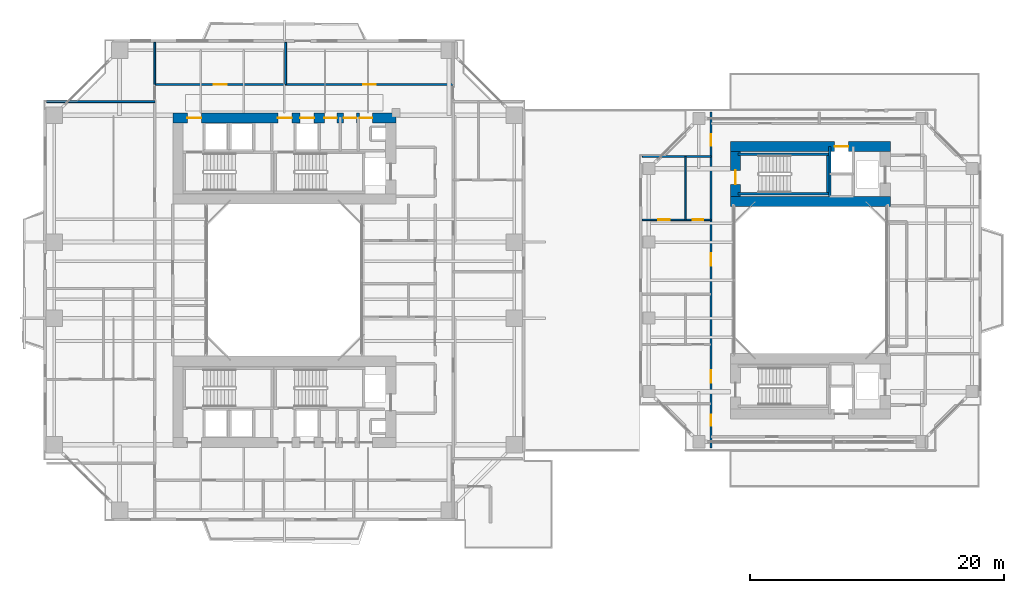
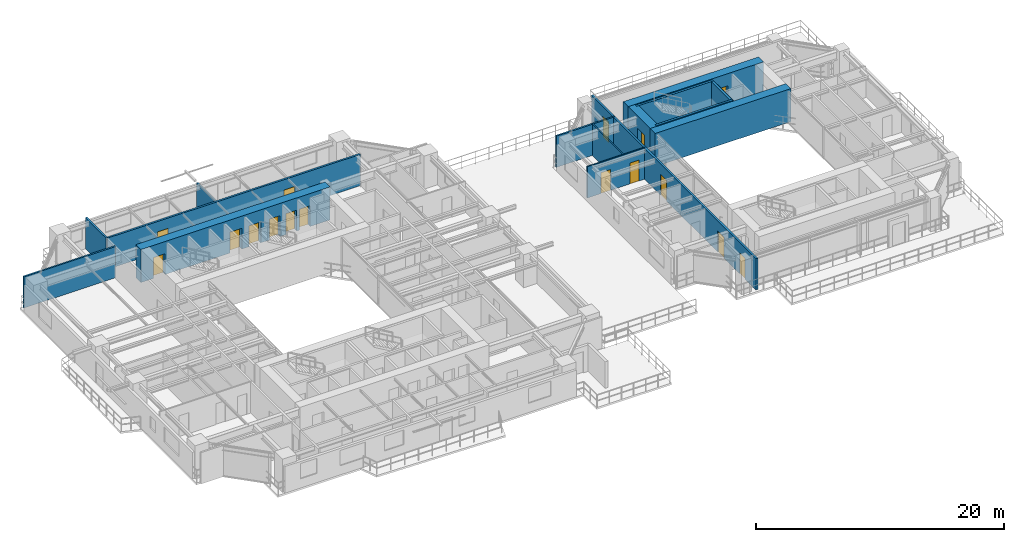
# One storey, part 14 of 22: 16 doors, 16 walls, 16 openings.
"""IFC4 building model written with IfcOpenShell, lengths in metres."""

from ifc_helpers import new_model, si_unit, direction, frame, frame_2d, origin, place, context, subcontext, project, spatial, rectangle, extrude, source, transform, mapped, material, layer, layer_set, type_object, element, fill, save


model = new_model("IFC4")

# Units and contexts
model_context = context("Model", 3, precision=1e-05, world=origin(), true_north=direction((0.0, 1.0)))
body_context = subcontext(model_context, "Body", "Model", "MODEL_VIEW")
ifc_project = project(units=[si_unit("LENGTHUNIT", "METRE"), si_unit("AREAUNIT", "SQUARE_METRE"), si_unit("VOLUMEUNIT", "CUBIC_METRE"), si_unit("PLANEANGLEUNIT", "RADIAN"), si_unit("MASSUNIT", "GRAM", prefix="KILO"), si_unit("THERMODYNAMICTEMPERATUREUNIT", "KELVIN"), si_unit("POWERUNIT", "WATT")], contexts=[model_context])

# Site, building, storey
site_placement = place(None, origin())
site = spatial("IfcSite", under=ifc_project, at=site_placement, CompositionType="ELEMENT")
building_placement = place(site_placement, origin())
building = spatial("IfcBuilding", under=site, at=building_placement, Name="Qiaomeng Ring Towers", CompositionType="ELEMENT")
storey_placement = place(building_placement, frame((0.0, 0.0, 23.0)))
storey = spatial("IfcBuildingStorey", under=building, at=storey_placement, Name="L05", CompositionType="ELEMENT", Elevation=23.0)

# Wall, openings, doors
ifc_material_1 = material(Name="Autoclaved aerated concrete block", Category="concrete")
ifc_layer_1 = layer(ifc_material_1, 0.179931640625, Name="Autoclaved aerated concrete block")
ifc_layer_set_1 = layer_set([ifc_layer_1], Name="Autoclaved aerated concrete block")
wall_type_1 = type_object("IfcWallType", Name="ARC-WL-PW2", PredefinedType="PARTITIONING", material=ifc_layer_set_1)
wall_1_placement = place(storey_placement, frame((8.780029296875, 38.43994140625, 0.0), z_axis=(0.0, 0.0, 1.0), x_axis=(1.0, 0.0, 0.0)))
wall_1 = element("IfcWall", 1, at=wall_1_placement, inside=storey, type_object=wall_type_1, Name="L05 Interior Wall PW2", PredefinedType="PARTITIONING", context=body_context, shape_type="SweptSolid", body=[
    extrude(rectangle(XDim=23.5400390625, YDim=0.179931640625, at=frame_2d((11.77001953125, 0.0))), origin(), (0.0, 0.0, 1.0), 3.070068359375),
])
opening_1_placement = place(wall_1_placement, frame((4.659912109375, 0.0, 0.0)))
opening_1 = element("IfcOpeningElement", 2, at=opening_1_placement, cuts=wall_1, Name="Opening FD4", PredefinedType="OPENING", context=body_context, shape_type="SweptSolid", body=[
    extrude(rectangle(XDim=1.0, YDim=2.050048828125, at=frame_2d((0.5, 1.02490234375))), frame((0.0, 0.099853515625, 0.0), z_axis=(0.0, -1.0, 0.0), x_axis=(1.0, 0.0, 0.0)), (0.0, 0.0, 1.0), 0.199951171875),
])
opening_2_placement = place(wall_1_placement, frame((16.429931640625, 0.0, 0.0)))
opening_2 = element("IfcOpeningElement", 3, at=opening_2_placement, cuts=wall_1, Name="Opening FD4", PredefinedType="OPENING", context=body_context, shape_type="SweptSolid", body=[
    extrude(rectangle(XDim=1.0, YDim=2.050048828125, at=frame_2d((0.5, 1.02490234375))), frame((0.0, 0.099853515625, 0.0), z_axis=(0.0, -1.0, 0.0), x_axis=(1.0, 0.0, 0.0)), (0.0, 0.0, 1.0), 0.199951171875),
])
ifc_material_2 = material(Name="Engineered fire-rated oak timber", Category="wood")
door_type_1 = type_object("IfcDoorType", Name="ARC-DR-FD4", OperationType="NOTDEFINED", PredefinedType="DOOR", material=ifc_material_2)
shared_shape_1 = source(origin(), body_context, "Body", "SweptSolid", [
    extrude(rectangle(XDim=1.0, YDim=2.050048828125, at=frame_2d((0.5, 1.02490234375))), frame((0.0, 0.02490234375, 0.0), z_axis=(0.0, -1.0, 0.0), x_axis=(1.0, 0.0, 0.0)), (0.0, 0.0, 1.0), 0.050048828125),
])
door_1_placement = place(opening_1_placement, origin())
door_1 = element("IfcDoor", 4, at=door_1_placement, inside=storey, type_object=door_type_1, Name="L05 Door FD4", OperationType="SINGLE_SWING_RIGHT", OverallHeight=2.050048828125, OverallWidth=1.0, PredefinedType="DOOR", context=body_context, shape_type="MappedRepresentation", body=[
    mapped(shared_shape_1, transform((0.0, 0.0, 0.0), x_axis=(1.0, 0.0, 0.0), y_axis=(0.0, 1.0, 0.0), z_axis=(0.0, 0.0, 1.0), scale=1.0)),
])
fill(opening_1, door_1)
door_2_placement = place(opening_2_placement, origin())
door_2 = element("IfcDoor", 5, at=door_2_placement, inside=storey, type_object=door_type_1, Name="L05 Door FD4", OperationType="SINGLE_SWING_LEFT", OverallHeight=2.050048828125, OverallWidth=1.0, PredefinedType="DOOR", context=body_context, shape_type="MappedRepresentation", body=[
    mapped(shared_shape_1, transform((0.0, 0.0, 0.0), x_axis=(1.0, 0.0, 0.0), y_axis=(0.0, 1.0, 0.0), z_axis=(0.0, 0.0, 1.0), scale=1.0)),
])
fill(opening_2, door_2)

wall_2_placement = place(storey_placement, frame((52.64990234375, 9.75, 0.0), z_axis=(0.0, 0.0, 1.0), x_axis=(0.0, 1.0, 0.0)))
wall_2 = element("IfcWall", 6, at=wall_2_placement, inside=storey, type_object=wall_type_1, Name="L05 Interior Wall PW2", PredefinedType="PARTITIONING", context=body_context, shape_type="SweptSolid", body=[
    extrude(rectangle(XDim=26.5, YDim=0.179931640625, at=frame_2d((13.25, 0.0))), origin(), (0.0, 0.0, 1.0), 3.070068359375),
])
opening_3_placement = place(wall_2_placement, frame((23.85009765625, 0.0, 0.0)))
opening_3 = element("IfcOpeningElement", 7, at=opening_3_placement, cuts=wall_2, Name="Opening ID1", PredefinedType="OPENING", context=body_context, shape_type="SweptSolid", body=[
    extrude(rectangle(XDim=0.89990234375, YDim=2.050048828125, at=frame_2d((0.449951171875, 1.02490234375))), frame((0.0, 0.099853515625, 0.0), z_axis=(0.0, -1.0, 0.0), x_axis=(1.0, 0.0, 0.0)), (0.0, 0.0, 1.0), 0.199951171875),
])
opening_4_placement = place(wall_2_placement, frame((1.75, 0.0, 0.0)))
opening_4 = element("IfcOpeningElement", 8, at=opening_4_placement, cuts=wall_2, Name="Opening ID1", PredefinedType="OPENING", context=body_context, shape_type="SweptSolid", body=[
    extrude(rectangle(XDim=0.89990234375, YDim=2.050048828125, at=frame_2d((0.449951171875, 1.02490234375))), frame((0.0, 0.099853515625, 0.0), z_axis=(0.0, -1.0, 0.0), x_axis=(1.0, 0.0, 0.0)), (0.0, 0.0, 1.0), 0.199951171875),
])
opening_5_placement = place(wall_2_placement, frame((5.14501953125, 0.0, 0.0)))
opening_5 = element("IfcOpeningElement", 9, at=opening_5_placement, cuts=wall_2, Name="Opening FD4", PredefinedType="OPENING", context=body_context, shape_type="SweptSolid", body=[
    extrude(rectangle(XDim=1.0, YDim=2.050048828125, at=frame_2d((0.5, 1.02490234375))), frame((0.0, 0.099853515625, 0.0), z_axis=(0.0, -1.0, 0.0), x_axis=(1.0, 0.0, 0.0)), (0.0, 0.0, 1.0), 0.199951171875),
])
opening_6_placement = place(wall_2_placement, frame((14.389892578125, 0.0, 0.0)))
opening_6 = element("IfcOpeningElement", 10, at=opening_6_placement, cuts=wall_2, Name="Opening FD4", PredefinedType="OPENING", context=body_context, shape_type="SweptSolid", body=[
    extrude(rectangle(XDim=1.0, YDim=2.050048828125, at=frame_2d((0.5, 1.02490234375))), frame((0.0, 0.099853515625, 0.0), z_axis=(0.0, -1.0, 0.0), x_axis=(1.0, 0.0, 0.0)), (0.0, 0.0, 1.0), 0.199951171875),
])
door_3_placement = place(opening_5_placement, origin())
door_3 = element("IfcDoor", 11, at=door_3_placement, inside=storey, type_object=door_type_1, Name="L05 Door FD4", OperationType="SINGLE_SWING_RIGHT", OverallHeight=2.050048828125, OverallWidth=1.0, PredefinedType="DOOR", context=body_context, shape_type="MappedRepresentation", body=[
    mapped(shared_shape_1, transform((0.0, 0.0, 0.0), x_axis=(1.0, 0.0, 0.0), y_axis=(0.0, 1.0, 0.0), z_axis=(0.0, 0.0, 1.0), scale=1.0)),
])
fill(opening_5, door_3)
door_4_placement = place(opening_6_placement, origin())
door_4 = element("IfcDoor", 12, at=door_4_placement, inside=storey, type_object=door_type_1, Name="L05 Door FD4", OperationType="SINGLE_SWING_LEFT", OverallHeight=2.050048828125, OverallWidth=1.0, PredefinedType="DOOR", context=body_context, shape_type="MappedRepresentation", body=[
    mapped(shared_shape_1, transform((0.0, 0.0, 0.0), x_axis=(1.0, 0.0, 0.0), y_axis=(0.0, 1.0, 0.0), z_axis=(0.0, 0.0, 1.0), scale=1.0)),
])
fill(opening_6, door_4)
ifc_material_3 = material(Name="Engineered oak timber", Category="wood")
door_type_2 = type_object("IfcDoorType", Name="ARC-DR-ID1", OperationType="NOTDEFINED", PredefinedType="DOOR", material=ifc_material_3)
shared_shape_2 = source(origin(), body_context, "Body", "SweptSolid", [
    extrude(rectangle(XDim=0.89990234375, YDim=2.050048828125, at=frame_2d((0.449951171875, 1.02490234375))), frame((0.0, 0.02490234375, 0.0), z_axis=(0.0, -1.0, 0.0), x_axis=(1.0, 0.0, 0.0)), (0.0, 0.0, 1.0), 0.050048828125),
])
door_5_placement = place(opening_3_placement, origin())
door_5 = element("IfcDoor", 13, at=door_5_placement, inside=storey, type_object=door_type_2, Name="L05 Door ID1", OperationType="SINGLE_SWING_RIGHT", OverallHeight=2.050048828125, OverallWidth=0.89990234375, PredefinedType="DOOR", context=body_context, shape_type="MappedRepresentation", body=[
    mapped(shared_shape_2, transform((0.0, 0.0, 0.0), x_axis=(1.0, 0.0, 0.0), y_axis=(0.0, 1.0, 0.0), z_axis=(0.0, 0.0, 1.0), scale=1.0)),
])
fill(opening_3, door_5)
door_6_placement = place(opening_4_placement, origin())
door_6 = element("IfcDoor", 14, at=door_6_placement, inside=storey, type_object=door_type_2, Name="L05 Door ID1", OperationType="SINGLE_SWING_LEFT", OverallHeight=2.050048828125, OverallWidth=0.89990234375, PredefinedType="DOOR", context=body_context, shape_type="MappedRepresentation", body=[
    mapped(shared_shape_2, transform((0.0, 0.0, 0.0), x_axis=(1.0, 0.0, 0.0), y_axis=(0.0, 1.0, 0.0), z_axis=(0.0, 0.0, 1.0), scale=1.0)),
])
fill(opening_4, door_6)

# Walls
ifc_material_4 = material(Name="Gypsum fireboard steel-stud partition", Category="steel")
ifc_layer_2 = layer(ifc_material_4, 0.14990234375, Name="Gypsum fireboard steel-stud partition")
ifc_layer_set_2 = layer_set([ifc_layer_2], Name="Gypsum fireboard steel-stud partition")
wall_type_2 = type_object("IfcWallType", Name="ARC-WL-PW3", PredefinedType="PARTITIONING", material=ifc_layer_set_2)
wall_3_placement = place(storey_placement, frame((19.10009765625, 38.43994140625, 0.0), z_axis=(0.0, 0.0, 1.0), x_axis=(0.0, 1.0, 0.0)))
element("IfcWall", 15, at=wall_3_placement, inside=storey, type_object=wall_type_2, Name="L05 Interior Wall PW3", PredefinedType="PARTITIONING", context=body_context, shape_type="SweptSolid", body=[
    extrude(rectangle(XDim=3.31005859375, YDim=0.14990234375, at=frame_2d((1.655029296875, 0.0))), origin(), (0.0, 0.0, 1.0), 2.864990234375),
])
wall_4_placement = place(storey_placement, frame((8.780029296875, 38.43994140625, 0.0), z_axis=(0.0, 0.0, 1.0), x_axis=(0.0, 1.0, 0.0)))
element("IfcWall", 16, at=wall_4_placement, inside=storey, type_object=wall_type_2, Name="L05 Interior Wall PW3", PredefinedType="PARTITIONING", context=body_context, shape_type="SweptSolid", body=[
    extrude(rectangle(XDim=3.31005859375, YDim=0.14990234375, at=frame_2d((1.655029296875, 0.0))), origin(), (0.0, 0.0, 1.0), 3.070068359375),
])
wall_5_placement = place(storey_placement, frame((0.25, 37.080078125, 0.0), z_axis=(0.0, 0.0, 1.0), x_axis=(1.0, 0.0, 0.0)))
element("IfcWall", 17, at=wall_5_placement, inside=storey, type_object=wall_type_2, Name="L05 Interior Wall PW3", PredefinedType="PARTITIONING", context=body_context, shape_type="SweptSolid", body=[
    extrude(rectangle(XDim=8.530029296875, YDim=0.14990234375, at=frame_2d((4.26513671875, 0.0))), origin(), (0.0, 0.0, 1.0), 3.070068359375),
])
wall_6_placement = place(storey_placement, frame((47.25, 32.75, 0.0), z_axis=(0.0, 0.0, 1.0), x_axis=(1.0, 0.0, 0.0)))
element("IfcWall", 18, at=wall_6_placement, inside=storey, type_object=wall_type_2, Name="L05 Interior Wall PW3", PredefinedType="PARTITIONING", context=body_context, shape_type="SweptSolid", body=[
    extrude(rectangle(XDim=5.39990234375, YDim=0.14990234375, at=frame_2d((2.699951171875, 0.0))), origin(), (0.0, 0.0, 1.0), 3.070068359375),
])

# Wall, openings, doors
ifc_material_5 = material(Name="Moisture-resistant gypsum steel-stud partition", Category="steel")
ifc_layer_3 = layer(ifc_material_5, 0.1201171875, Name="Moisture-resistant gypsum steel-stud partition")
ifc_layer_set_3 = layer_set([ifc_layer_3], Name="Moisture-resistant gypsum steel-stud partition")
wall_type_3 = type_object("IfcWallType", Name="ARC-WL-PW4", PredefinedType="PLUMBINGWALL", material=ifc_layer_set_3)
wall_7_placement = place(storey_placement, frame((47.25, 27.760009765625, 0.0), z_axis=(0.0, 0.0, 1.0), x_axis=(1.0, 0.0, 0.0)))
wall_7 = element("IfcWall", 19, at=wall_7_placement, inside=storey, type_object=wall_type_3, Name="L05 Interior Wall PW4", PredefinedType="PLUMBINGWALL", context=body_context, shape_type="SweptSolid", body=[
    extrude(rectangle(XDim=5.39990234375, YDim=0.1201171875, at=frame_2d((2.699951171875, 0.0))), origin(), (0.0, 0.0, 1.0), 3.070068359375),
])
opening_7_placement = place(wall_7_placement, frame((1.260009765625, 0.0, 0.0)))
opening_7 = element("IfcOpeningElement", 20, at=opening_7_placement, cuts=wall_7, Name="Opening ID1", PredefinedType="OPENING", context=body_context, shape_type="SweptSolid", body=[
    extrude(rectangle(XDim=0.89990234375, YDim=2.050048828125, at=frame_2d((0.449951171875, 1.02490234375))), frame((0.0, 0.070068359375, 0.0), z_axis=(0.0, -1.0, 0.0), x_axis=(1.0, 0.0, 0.0)), (0.0, 0.0, 1.0), 0.14013671875),
])
opening_8_placement = place(wall_7_placement, frame((3.965087890625, 0.0, 0.0)))
opening_8 = element("IfcOpeningElement", 21, at=opening_8_placement, cuts=wall_7, Name="Opening ID2", PredefinedType="OPENING", context=body_context, shape_type="SweptSolid", body=[
    extrude(rectangle(XDim=0.85009765625, YDim=2.050048828125, at=frame_2d((0.425048828125, 1.02490234375))), frame((0.0, 0.070068359375, 0.0), z_axis=(0.0, -1.0, 0.0), x_axis=(1.0, 0.0, 0.0)), (0.0, 0.0, 1.0), 0.14013671875),
])
ifc_material_6 = material(Name="Moisture-resistant engineered timber", Category="wood")
door_type_3 = type_object("IfcDoorType", Name="ARC-DR-ID2", OperationType="NOTDEFINED", PredefinedType="DOOR", material=ifc_material_6)
shared_shape_3 = source(origin(), body_context, "Body", "SweptSolid", [
    extrude(rectangle(XDim=0.85009765625, YDim=2.050048828125, at=frame_2d((0.425048828125, 1.02490234375))), frame((0.0, 0.02490234375, 0.0), z_axis=(0.0, -1.0, 0.0), x_axis=(1.0, 0.0, 0.0)), (0.0, 0.0, 1.0), 0.050048828125),
])
door_7_placement = place(opening_8_placement, origin())
door_7 = element("IfcDoor", 22, at=door_7_placement, inside=storey, type_object=door_type_3, Name="L05 Door ID2", OperationType="SINGLE_SWING_LEFT", OverallHeight=2.050048828125, OverallWidth=0.85009765625, PredefinedType="DOOR", context=body_context, shape_type="MappedRepresentation", body=[
    mapped(shared_shape_3, transform((0.0, 0.0, 0.0), x_axis=(1.0, 0.0, 0.0), y_axis=(0.0, 1.0, 0.0), z_axis=(0.0, 0.0, 1.0), scale=1.0)),
])
fill(opening_8, door_7)
door_8_placement = place(opening_7_placement, origin())
door_8 = element("IfcDoor", 23, at=door_8_placement, inside=storey, type_object=door_type_2, Name="L05 Door ID1", OperationType="SINGLE_SWING_RIGHT", OverallHeight=2.050048828125, OverallWidth=0.89990234375, PredefinedType="DOOR", context=body_context, shape_type="MappedRepresentation", body=[
    mapped(shared_shape_2, transform((0.0, 0.0, 0.0), x_axis=(1.0, 0.0, 0.0), y_axis=(0.0, 1.0, 0.0), z_axis=(0.0, 0.0, 1.0), scale=1.0)),
])
fill(opening_7, door_8)

# Walls
wall_8_placement = place(storey_placement, frame((50.64990234375, 27.760009765625, 0.0), z_axis=(0.0, 0.0, 1.0), x_axis=(0.0, 1.0, 0.0)))
element("IfcWall", 24, at=wall_8_placement, inside=storey, type_object=wall_type_3, Name="L05 Interior Wall PW4", PredefinedType="PLUMBINGWALL", context=body_context, shape_type="SweptSolid", body=[
    extrude(rectangle(XDim=4.989990234375, YDim=0.1201171875, at=frame_2d((2.4951171875, 0.0))), origin(), (0.0, 0.0, 1.0), 3.070068359375),
])
ifc_material_7 = material(Name="Concrete C40", Category="concrete")
ifc_layer_4 = layer(ifc_material_7, 0.199951171875, Name="Concrete C40")
ifc_layer_set_4 = layer_set([ifc_layer_4], Name="Concrete C40")
wall_type_4 = type_object("IfcWallType", Name="STR-WL-STSHAFT", PredefinedType="SHEAR", material=ifc_layer_set_4)
wall_9_placement = place(storey_placement, frame((62.02001953125, 29.60009765625, 0.0), z_axis=(0.0, 0.0, 1.0), x_axis=(0.0, 1.0, 0.0)))
element("IfcWall", 25, at=wall_9_placement, inside=storey, type_object=wall_type_4, Name="L05 Companion Lift Shaft West Wall N", PredefinedType="SHEAR", context=body_context, shape_type="SweptSolid", body=[
    extrude(rectangle(XDim=3.949951171875, YDim=0.179931640625, at=frame_2d((1.97509765625, 0.0))), origin(), (0.0, 0.0, 1.0), 3.070068359375),
])
for number, where, z_axis, x_axis, name in (
    (26, (54.800048828125, 29.800048828125, 0.0), (0.0, 0.0, 1.0), (1.0, 0.0, 0.0), "L05 Stair ST5 South Shaft Shear Wall"),
    (27, (54.800048828125, 32.93994140625, 0.0), (0.0, 0.0, 1.0), (1.0, 0.0, 0.0), "L05 Stair ST5 North Shaft Shear Wall"),
):
    element("IfcWall", number, at=place(storey_placement, frame(where, z_axis=z_axis, x_axis=x_axis)), inside=storey, type_object=wall_type_4, Name=name, PredefinedType="SHEAR", context=body_context, shape_type="SweptSolid", body=[
        extrude(rectangle(XDim=7.14990234375, YDim=0.199951171875, at=frame_2d((3.574951171875, 0.0))), origin(), (0.0, 0.0, 1.0), 3.25),
    ])
wall_10_placement = place(storey_placement, frame((61.85009765625, 29.89990234375, 0.0), z_axis=(0.0, 0.0, 1.0), x_axis=(0.0, 1.0, 0.0)))
element("IfcWall", 28, at=wall_10_placement, inside=storey, type_object=wall_type_4, Name="L05 Stair ST5 East Shaft Shear Wall", PredefinedType="SHEAR", context=body_context, shape_type="SweptSolid", body=[
    extrude(rectangle(XDim=2.940185546875, YDim=0.199951171875, at=frame_2d((1.47021484375, 0.0))), origin(), (0.0, 0.0, 1.0), 3.25),
])

# Wall, openings, doors
ifc_material_8 = material(Name="Concrete C60", Category="concrete")
ifc_layer_5 = layer(ifc_material_8, 0.800048828125, Name="Concrete C60")
ifc_layer_set_5 = layer_set([ifc_layer_5], Name="Concrete C60")
wall_type_5 = type_object("IfcWallType", Name="STR-WL-SW1", PredefinedType="SHEAR", material=ifc_layer_set_5)
wall_11_placement = place(storey_placement, frame((10.199951171875, 35.800048828125, 0.0), z_axis=(0.0, 0.0, 1.0), x_axis=(1.0, 0.0, 0.0)))
wall_11 = element("IfcWall", 29, at=wall_11_placement, inside=storey, type_object=wall_type_5, Name="L05 T1NC north core shear wall", PredefinedType="SHEAR", context=body_context, shape_type="SweptSolid", body=[
    extrude(rectangle(XDim=17.60009765625, YDim=0.800048828125, at=frame_2d((8.800048828125, 0.0))), origin(), (0.0, 0.0, 1.0), 3.25),
])
opening_9_placement = place(wall_11_placement, frame((1.14990234375, 0.0, 0.0)))
opening_9 = element("IfcOpeningElement", 30, at=opening_9_placement, cuts=wall_11, Name="Opening FD3", PredefinedType="OPENING", context=body_context, shape_type="SweptSolid", body=[
    extrude(rectangle(XDim=1.10009765625, YDim=2.050048828125, at=frame_2d((0.550048828125, 1.02490234375))), frame((0.0, 0.409912109375, 0.0), z_axis=(0.0, -1.0, 0.0), x_axis=(1.0, 0.0, 0.0)), (0.0, 0.0, 1.0), 0.820068359375),
])
opening_10_placement = place(wall_11_placement, frame((8.300048828125, 0.0, 0.0)))
opening_10 = element("IfcOpeningElement", 31, at=opening_10_placement, cuts=wall_11, Name="Opening FD3", PredefinedType="OPENING", context=body_context, shape_type="SweptSolid", body=[
    extrude(rectangle(XDim=1.10009765625, YDim=2.050048828125, at=frame_2d((0.550048828125, 1.02490234375))), frame((0.0, 0.409912109375, 0.0), z_axis=(0.0, -1.0, 0.0), x_axis=(1.0, 0.0, 0.0)), (0.0, 0.0, 1.0), 0.820068359375),
])
opening_11_placement = place(wall_11_placement, frame((10.050048828125, 0.0, 0.0)))
opening_11 = element("IfcOpeningElement", 32, at=opening_11_placement, cuts=wall_11, Name="Opening LD1", PredefinedType="OPENING", context=body_context, shape_type="SweptSolid", body=[
    extrude(rectangle(XDim=1.10009765625, YDim=2.050048828125, at=frame_2d((0.550048828125, 1.02490234375))), frame((0.0, 0.409912109375, 0.0), z_axis=(0.0, -1.0, 0.0), x_axis=(1.0, 0.0, 0.0)), (0.0, 0.0, 1.0), 0.820068359375),
])
opening_12_placement = place(wall_11_placement, frame((14.739990234375, 0.0, 0.0)))
opening_12 = element("IfcOpeningElement", 33, at=opening_12_placement, cuts=wall_11, Name="Opening FD1", PredefinedType="OPENING", context=body_context, shape_type="SweptSolid", body=[
    extrude(rectangle(XDim=1.0, YDim=2.050048828125, at=frame_2d((0.5, 1.02490234375))), frame((0.0, 0.409912109375, 0.0), z_axis=(0.0, -1.0, 0.0), x_axis=(1.0, 0.0, 0.0)), (0.0, 0.0, 1.0), 0.820068359375),
])
opening_13_placement = place(wall_11_placement, frame((11.949951171875, 0.0, 0.0)))
opening_13 = element("IfcOpeningElement", 34, at=opening_13_placement, cuts=wall_11, Name="Opening FD1", PredefinedType="OPENING", context=body_context, shape_type="SweptSolid", body=[
    extrude(rectangle(XDim=1.0, YDim=2.050048828125, at=frame_2d((0.5, 1.02490234375))), frame((0.0, 0.409912109375, 0.0), z_axis=(0.0, -1.0, 0.0), x_axis=(1.0, 0.0, 0.0)), (0.0, 0.0, 1.0), 0.820068359375),
])
opening_14_placement = place(wall_11_placement, frame((13.485107421875, 0.0, 0.0)))
opening_14 = element("IfcOpeningElement", 35, at=opening_14_placement, cuts=wall_11, Name="Opening FD1", PredefinedType="OPENING", context=body_context, shape_type="SweptSolid", body=[
    extrude(rectangle(XDim=1.0, YDim=2.050048828125, at=frame_2d((0.5, 1.02490234375))), frame((0.0, 0.409912109375, 0.0), z_axis=(0.0, -1.0, 0.0), x_axis=(1.0, 0.0, 0.0)), (0.0, 0.0, 1.0), 0.820068359375),
])
ifc_material_9 = material(Name="Galvanised steel", Category="steel")
door_type_4 = type_object("IfcDoorType", Name="ARC-DR-FD3", OperationType="NOTDEFINED", PredefinedType="DOOR", material=ifc_material_9)
shared_shape_4 = source(origin(), body_context, "Body", "SweptSolid", [
    extrude(rectangle(XDim=1.10009765625, YDim=2.050048828125, at=frame_2d((0.550048828125, 1.02490234375))), frame((0.0, 0.02490234375, 0.0), z_axis=(0.0, -1.0, 0.0), x_axis=(1.0, 0.0, 0.0)), (0.0, 0.0, 1.0), 0.050048828125),
])
door_9_placement = place(opening_9_placement, origin())
door_9 = element("IfcDoor", 36, at=door_9_placement, inside=storey, type_object=door_type_4, Name="L05 Stair ST1 Lobby Door", OperationType="SINGLE_SWING_RIGHT", OverallHeight=2.050048828125, OverallWidth=1.10009765625, PredefinedType="DOOR", context=body_context, shape_type="MappedRepresentation", body=[
    mapped(shared_shape_4, transform((0.0, 0.0, 0.0), x_axis=(1.0, 0.0, 0.0), y_axis=(0.0, 1.0, 0.0), z_axis=(0.0, 0.0, 1.0), scale=1.0)),
])
fill(opening_9, door_9)
door_10_placement = place(opening_10_placement, origin())
door_10 = element("IfcDoor", 37, at=door_10_placement, inside=storey, type_object=door_type_4, Name="L05 Stair ST2 Lobby Door", OperationType="SINGLE_SWING_RIGHT", OverallHeight=2.050048828125, OverallWidth=1.10009765625, PredefinedType="DOOR", context=body_context, shape_type="MappedRepresentation", body=[
    mapped(shared_shape_4, transform((0.0, 0.0, 0.0), x_axis=(1.0, 0.0, 0.0), y_axis=(0.0, 1.0, 0.0), z_axis=(0.0, 0.0, 1.0), scale=1.0)),
])
fill(opening_10, door_10)
ifc_material_10 = material(Name="Stainless steel 316", Category="steel")
door_type_5 = type_object("IfcDoorType", Name="ARC-DR-LD1", OperationType="NOTDEFINED", PredefinedType="DOOR", material=ifc_material_10)
door_11_placement = place(opening_11_placement, origin())
door_11 = element("IfcDoor", 38, at=door_11_placement, inside=storey, type_object=door_type_5, Name="L05 Low-Zone Lift LP1 Landing Door", OperationType="SLIDING_TO_LEFT", OverallHeight=2.050048828125, OverallWidth=1.10009765625, PredefinedType="DOOR", context=body_context, shape_type="MappedRepresentation", body=[
    mapped(shared_shape_4, transform((0.0, 0.0, 0.0), x_axis=(1.0, 0.0, 0.0), y_axis=(0.0, 1.0, 0.0), z_axis=(0.0, 0.0, 1.0), scale=1.0)),
])
fill(opening_11, door_11)
door_type_6 = type_object("IfcDoorType", Name="ARC-DR-FD1", OperationType="NOTDEFINED", PredefinedType="DOOR", material=ifc_material_9)
door_12_placement = place(opening_12_placement, origin())
door_12 = element("IfcDoor", 39, at=door_12_placement, inside=storey, type_object=door_type_6, Name="L05 North Electrical Riser Door", OperationType="SINGLE_SWING_RIGHT", OverallHeight=2.050048828125, OverallWidth=1.0, PredefinedType="DOOR", context=body_context, shape_type="MappedRepresentation", body=[
    mapped(shared_shape_1, transform((0.0, 0.0, 0.0), x_axis=(1.0, 0.0, 0.0), y_axis=(0.0, 1.0, 0.0), z_axis=(0.0, 0.0, 1.0), scale=1.0)),
])
fill(opening_12, door_12)
door_13_placement = place(opening_13_placement, origin())
door_13 = element("IfcDoor", 40, at=door_13_placement, inside=storey, type_object=door_type_6, Name="L05 North Tea Pantry Door", OperationType="SINGLE_SWING_RIGHT", OverallHeight=2.050048828125, OverallWidth=1.0, PredefinedType="DOOR", context=body_context, shape_type="MappedRepresentation", body=[
    mapped(shared_shape_1, transform((0.0, 0.0, 0.0), x_axis=(1.0, 0.0, 0.0), y_axis=(0.0, 1.0, 0.0), z_axis=(0.0, 0.0, 1.0), scale=1.0)),
])
fill(opening_13, door_13)
door_14_placement = place(opening_14_placement, origin())
door_14 = element("IfcDoor", 41, at=door_14_placement, inside=storey, type_object=door_type_6, Name="L05 North Cleaners Cupboard Door", OperationType="SINGLE_SWING_LEFT", OverallHeight=2.050048828125, OverallWidth=1.0, PredefinedType="DOOR", context=body_context, shape_type="MappedRepresentation", body=[
    mapped(shared_shape_1, transform((0.0, 0.0, 0.0), x_axis=(1.0, 0.0, 0.0), y_axis=(0.0, 1.0, 0.0), z_axis=(0.0, 0.0, 1.0), scale=1.0)),
])
fill(opening_14, door_14)

# Wall
wall_12_placement = place(storey_placement, frame((54.199951171875, 29.199951171875, 0.0), z_axis=(0.0, 0.0, 1.0), x_axis=(1.0, 0.0, 0.0)))
element("IfcWall", 42, at=wall_12_placement, inside=storey, type_object=wall_type_5, Name="L05 T2NC south core shear wall", PredefinedType="SHEAR", context=body_context, shape_type="SweptSolid", body=[
    extrude(rectangle(XDim=12.60009765625, YDim=0.800048828125, at=frame_2d((6.300048828125, 0.0))), origin(), (0.0, 0.0, 1.0), 3.25),
])

# Wall, opening, door
wall_13_placement = place(storey_placement, frame((54.199951171875, 33.550048828125, 0.0), z_axis=(0.0, 0.0, 1.0), x_axis=(1.0, 0.0, 0.0)))
wall_13 = element("IfcWall", 43, at=wall_13_placement, inside=storey, type_object=wall_type_5, Name="L05 T2NC north core shear wall", PredefinedType="SHEAR", context=body_context, shape_type="SweptSolid", body=[
    extrude(rectangle(XDim=12.60009765625, YDim=0.800048828125, at=frame_2d((6.300048828125, 0.0))), origin(), (0.0, 0.0, 1.0), 3.25),
])
opening_15_placement = place(wall_13_placement, frame((8.199951171875, 0.0, 0.0)))
opening_15 = element("IfcOpeningElement", 44, at=opening_15_placement, cuts=wall_13, Name="Opening LD1", PredefinedType="OPENING", context=body_context, shape_type="SweptSolid", body=[
    extrude(rectangle(XDim=1.10009765625, YDim=2.050048828125, at=frame_2d((0.550048828125, 1.02490234375))), frame((0.0, 0.409912109375, 0.0), z_axis=(0.0, -1.0, 0.0), x_axis=(1.0, 0.0, 0.0)), (0.0, 0.0, 1.0), 0.820068359375),
])
door_15_placement = place(opening_15_placement, origin())
door_15 = element("IfcDoor", 45, at=door_15_placement, inside=storey, type_object=door_type_5, Name="L05 Companion Lift LP7 Landing Door", OperationType="SLIDING_TO_LEFT", OverallHeight=2.050048828125, OverallWidth=1.10009765625, PredefinedType="DOOR", context=body_context, shape_type="MappedRepresentation", body=[
    mapped(shared_shape_4, transform((0.0, 0.0, 0.0), x_axis=(1.0, 0.0, 0.0), y_axis=(0.0, 1.0, 0.0), z_axis=(0.0, 0.0, 1.0), scale=1.0)),
])
fill(opening_15, door_15)

wall_14_placement = place(storey_placement, frame((54.60009765625, 29.60009765625, 0.0), z_axis=(0.0, 0.0, 1.0), x_axis=(0.0, 1.0, 0.0)))
wall_14 = element("IfcWall", 46, at=wall_14_placement, inside=storey, type_object=wall_type_5, Name="L05 T2NC west core shear wall", PredefinedType="SHEAR", context=body_context, shape_type="SweptSolid", body=[
    extrude(rectangle(XDim=3.5498046875, YDim=0.800048828125, at=frame_2d((1.77490234375, 0.0))), origin(), (0.0, 0.0, 1.0), 3.25),
])
opening_16_placement = place(wall_14_placement, frame((0.949951171875, 0.0, 0.0)))
opening_16 = element("IfcOpeningElement", 47, at=opening_16_placement, cuts=wall_14, Name="Opening FD3", PredefinedType="OPENING", context=body_context, shape_type="SweptSolid", body=[
    extrude(rectangle(XDim=1.10009765625, YDim=2.050048828125, at=frame_2d((0.550048828125, 1.02490234375))), frame((0.0, 0.409912109375, 0.0), z_axis=(0.0, -1.0, 0.0), x_axis=(1.0, 0.0, 0.0)), (0.0, 0.0, 1.0), 0.820068359375),
])
door_16_placement = place(opening_16_placement, origin())
door_16 = element("IfcDoor", 48, at=door_16_placement, inside=storey, type_object=door_type_4, Name="L05 Stair ST5 Exit Door", OperationType="SINGLE_SWING_LEFT", OverallHeight=2.050048828125, OverallWidth=1.10009765625, PredefinedType="DOOR", context=body_context, shape_type="MappedRepresentation", body=[
    mapped(shared_shape_4, transform((0.0, 0.0, 0.0), x_axis=(1.0, 0.0, 0.0), y_axis=(0.0, 1.0, 0.0), z_axis=(0.0, 0.0, 1.0), scale=1.0)),
])
fill(opening_16, door_16)

save(model, "model.ifc")
